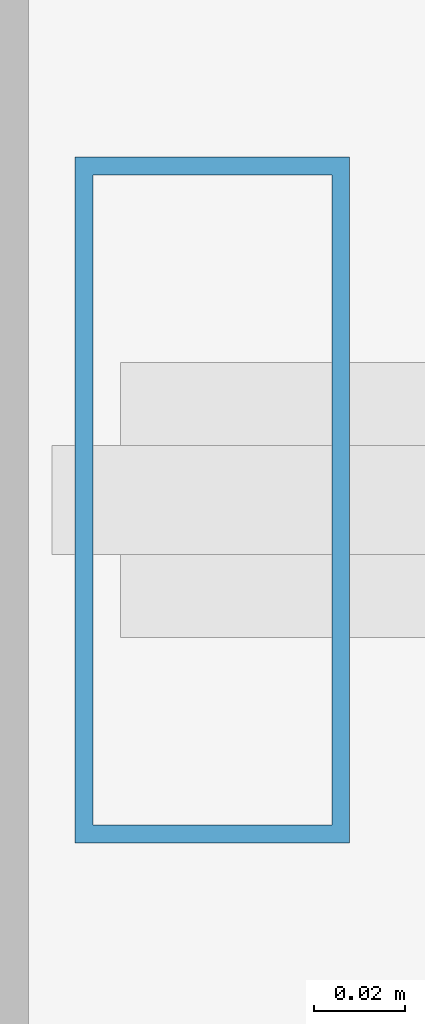
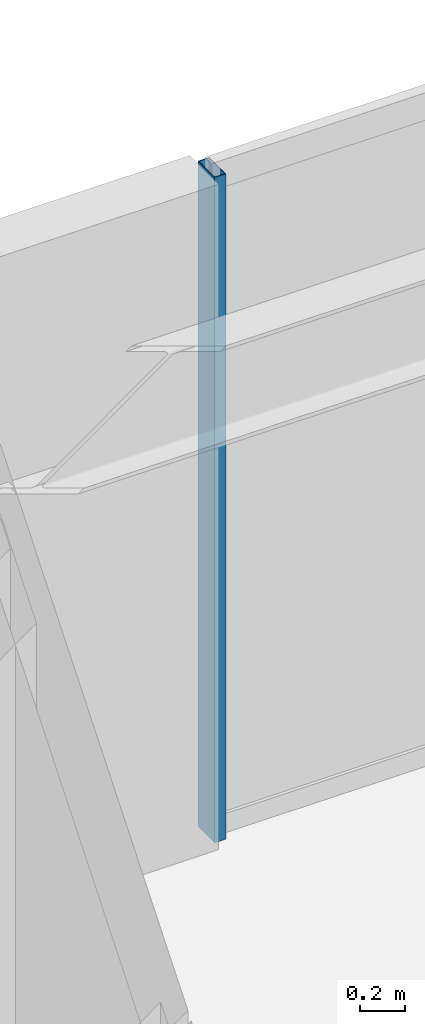
# One storey, part 2 of 11: 1 member, 1 element without a shape of its own.
"""IFC4 building model written with IfcOpenShell, lengths in metres."""

from ifc_helpers import new_model, si_unit, direction, frame, origin, origin_2d, place, context, subcontext, project, spatial, hollow_rectangle, extrude, material, material_profile, profile_set, type_object, element, aggregate, save


model = new_model("IFC4")

# Units and contexts
model_context = context("Model", 3, precision=1e-05, world=origin(), true_north=direction((0.0, 1.0)))
body_context = subcontext(model_context, "Body", "Model", "MODEL_VIEW")
ifc_project = project(units=[si_unit("LENGTHUNIT", "METRE"), si_unit("AREAUNIT", "SQUARE_METRE"), si_unit("VOLUMEUNIT", "CUBIC_METRE"), si_unit("PLANEANGLEUNIT", "RADIAN"), si_unit("MASSUNIT", "GRAM", prefix="KILO")], contexts=[model_context])

# Site, building, storey
site_placement = place(None, origin())
site = spatial("IfcSite", under=ifc_project, at=site_placement, CompositionType="ELEMENT")
building_placement = place(site_placement, origin())
building = spatial("IfcBuilding", under=site, at=building_placement, Name="Ventersveld Concourse Tower", CompositionType="ELEMENT")
storey_placement = place(building_placement, frame((0.0, 0.0, 256.75)))
storey = spatial("IfcBuildingStorey", under=building, at=storey_placement, Name="L63", CompositionType="ELEMENT", Elevation=256.75)

# Curtain wall, member
ifc_material = material(Name="Anodised aluminium EN AW-6063-T6", Category="aluminium")
curtain_wall_type = type_object("IfcCurtainWallType", Name="CW-SG-4", PredefinedType="NOTDEFINED", material=ifc_material)
curtain_wall_placement = place(storey_placement, origin())
curtain_wall = element("IfcCurtainWall", 1, at=curtain_wall_placement, inside=storey, type_object=curtain_wall_type, Name="L63 L63 Sky Garden Recessed Curtain Wall", PredefinedType="NOTDEFINED")
ifc_material_profile = material_profile(ifc_material, hollow_rectangle(XDim=0.06005859375, YDim=0.14990234375, WallThickness=0.00390625, at=origin_2d()), Name="ALU 150x60x4")
ifc_profile_set = profile_set([ifc_material_profile], Name="Anodised aluminium EN AW-6063-T6")
member_type = type_object("IfcMemberType", Name="CWM-150x65", PredefinedType="MULLION", material=ifc_profile_set)
member_placement = place(storey_placement, frame((23.2900390625, 29.63623046875, 0.0), z_axis=(0.0, 0.0, 1.0), x_axis=(1.0, 0.0, 0.0)))
member = element("IfcMember", 2, at=member_placement, type_object=member_type, Name="CW-L63-SG Mullion 01", PredefinedType="MULLION", context=body_context, shape_type="SweptSolid", body=[
    extrude(hollow_rectangle(XDim=0.06005859375, YDim=0.14990234375, WallThickness=0.00390625, at=origin_2d()), origin(), (0.0, 0.0, 1.0), 3.64990234375),
])
aggregate(curtain_wall, [member])

save(model, "model.ifc")
